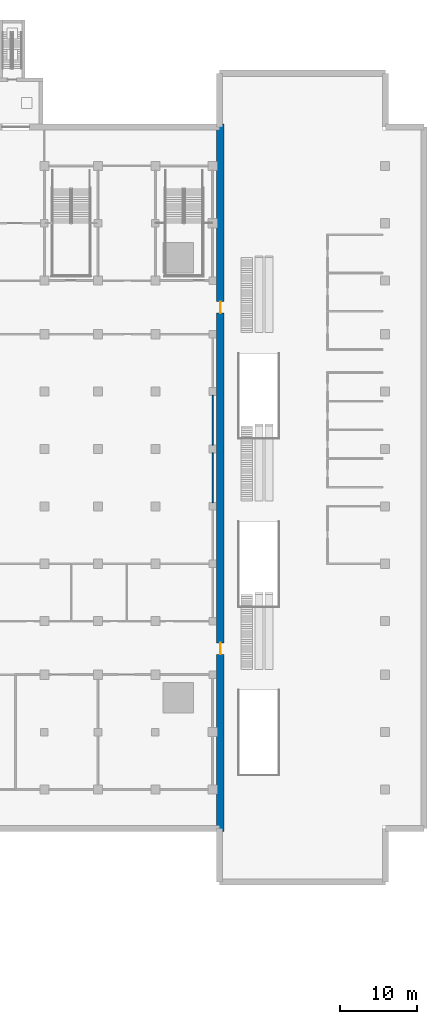
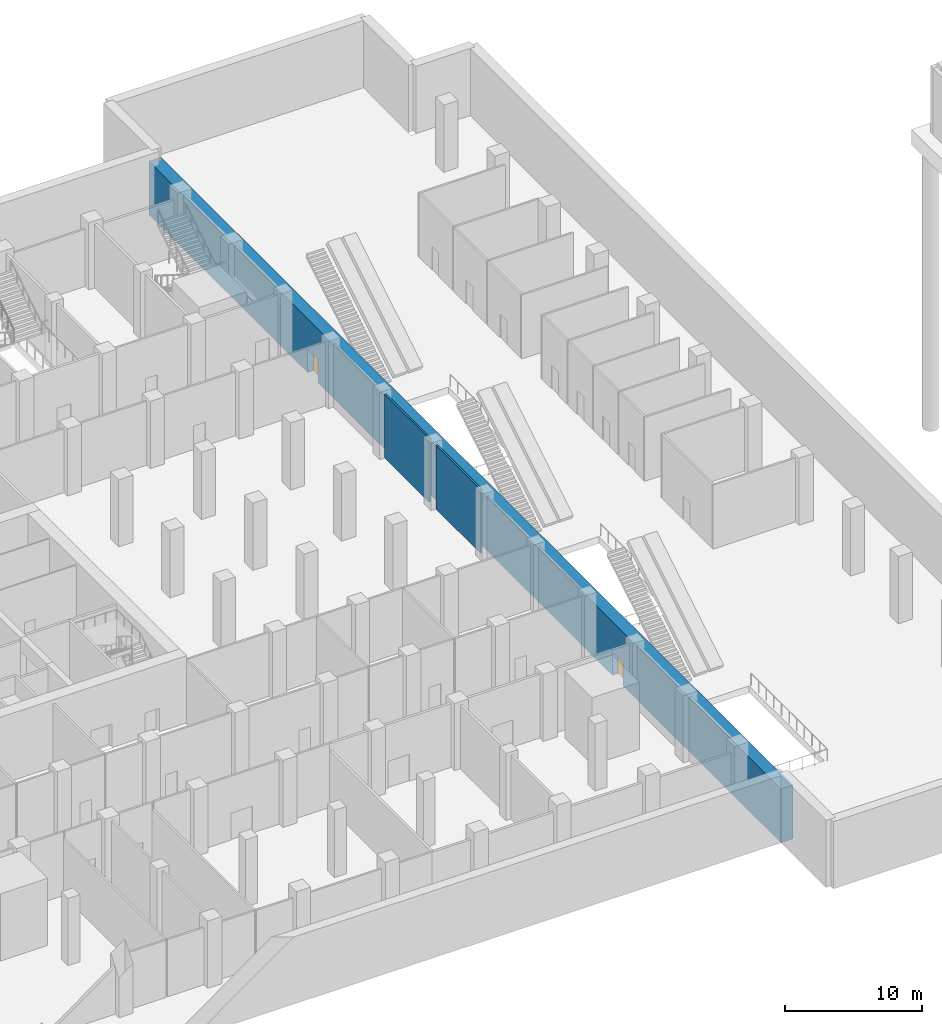
# One storey, part 12 of 45: 3 walls, 2 doors, 2 openings.
"""IFC4 building model written with IfcOpenShell, lengths in metres."""

from ifc_helpers import new_model, si_unit, direction, frame, frame_2d, origin, place, context, subcontext, project, spatial, rectangle, extrude, material, layer, layer_set, type_object, element, fill, save


model = new_model("IFC4")

# Units and contexts
model_context = context("Model", 3, precision=1e-05, world=origin(), true_north=direction((0.0, 1.0)))
body_context = subcontext(model_context, "Body", "Model", "MODEL_VIEW")
ifc_project = project(units=[si_unit("LENGTHUNIT", "METRE"), si_unit("AREAUNIT", "SQUARE_METRE"), si_unit("VOLUMEUNIT", "CUBIC_METRE"), si_unit("PLANEANGLEUNIT", "RADIAN"), si_unit("MASSUNIT", "GRAM", prefix="KILO")], contexts=[model_context])

# Site, building, storey
site_placement = place(None, origin())
site = spatial("IfcSite", under=ifc_project, at=site_placement, CompositionType="ELEMENT")
building_placement = place(site_placement, origin())
building = spatial("IfcBuilding", under=site, at=building_placement, Name="Tamorin Gate", CompositionType="ELEMENT")
storey_placement = place(building_placement, frame((0.0, 0.0, -6.0)))
storey = spatial("IfcBuildingStorey", under=building, at=storey_placement, Name="B1", CompositionType="ELEMENT", Elevation=-6.0)

# Walls
ifc_material_1 = material(Name="Concrete masonry C20/25", Category="masonry")
ifc_layer_1 = layer(ifc_material_1, 0.14990234375)
ifc_layer_set_1 = layer_set([ifc_layer_1], Name="Partition 150")
wall_type_1 = type_object("IfcWallType", Name="Partition 150", PredefinedType="PARTITIONING", material=ifc_layer_set_1)
for number, where, z_axis, x_axis, name in (
    (1, (89.5, 68.0, 0.0), (0.0, 0.0, 1.0), (0.0, 1.0, 0.0), "Partition 150 B1"),
    (2, (89.5, 75.5, 0.0), (0.0, 0.0, 1.0), (0.0, 1.0, 0.0), "Partition 150 B1"),
):
    element("IfcWall", number, at=place(storey_placement, frame(where, z_axis=z_axis, x_axis=x_axis)), inside=storey, type_object=wall_type_1, Name=name, PredefinedType="PARTITIONING", context=body_context, shape_type="SweptSolid", body=[
        extrude(rectangle(XDim=6.5, YDim=0.14990234375, at=frame_2d((3.25, 0.0))), origin(), (0.0, 0.0, 1.0), 5.699951171875),
    ])

# Wall, openings, doors
ifc_material_2 = material(Name="Concrete C50/60", Category="concrete")
ifc_layer_2 = layer(ifc_material_2, 1.0)
ifc_layer_set_2 = layer_set([ifc_layer_2], Name="RC station wall 1000 C50/60")
wall_type_2 = type_object("IfcWallType", Name="RC station wall 1000 C50/60", PredefinedType="SHEAR", material=ifc_layer_set_2)
wall_placement = place(storey_placement, frame((90.5, 25.0, 0.0), z_axis=(0.0, 0.0, 1.0), x_axis=(0.0, 1.0, 0.0)))
wall = element("IfcWall", 3, at=wall_placement, inside=storey, type_object=wall_type_2, Name="Station wall B1", PredefinedType="SHEAR", context=body_context, shape_type="SweptSolid", body=[
    extrude(rectangle(XDim=92.5, YDim=1.0, at=frame_2d((46.25, 0.0))), origin(), (0.0, 0.0, 1.0), 4.800048828125),
])
opening_1_placement = place(wall_placement, frame((23.14990234375, 0.0, 0.0)))
opening_1 = element("IfcOpeningElement", 4, at=opening_1_placement, cuts=wall, Name="Opening DP7", PredefinedType="OPENING", context=body_context, shape_type="SweptSolid", body=[
    extrude(rectangle(XDim=1.5, YDim=2.10009765625, at=frame_2d((0.75, 1.050048828125))), frame((0.0, 0.510009765625, 0.0), z_axis=(0.0, -1.0, 0.0), x_axis=(1.0, 0.0, 0.0)), (0.0, 0.0, 1.0), 1.02001953125),
])
opening_2_placement = place(wall_placement, frame((67.75, 0.0, 0.0)))
opening_2 = element("IfcOpeningElement", 5, at=opening_2_placement, cuts=wall, Name="Opening DP7", PredefinedType="OPENING", context=body_context, shape_type="SweptSolid", body=[
    extrude(rectangle(XDim=1.5, YDim=2.10009765625, at=frame_2d((0.75, 1.050048828125))), frame((0.0, 0.510009765625, 0.0), z_axis=(0.0, -1.0, 0.0), x_axis=(1.0, 0.0, 0.0)), (0.0, 0.0, 1.0), 1.02001953125),
])
ifc_material_3 = material(Name="Painted steel", Category="steel")
door_type = type_object("IfcDoorType", Name="Door pair 1500", OperationType="DOUBLE_DOOR_SINGLE_SWING", PredefinedType="DOOR", material=ifc_material_3)
door_1_placement = place(opening_1_placement, origin())
door_1 = element("IfcDoor", 6, at=door_1_placement, inside=storey, type_object=door_type, Name="Door pair 1500", OperationType="SINGLE_SWING_LEFT", OverallHeight=2.10009765625, OverallWidth=1.5, PredefinedType="DOOR", context=body_context, shape_type="SweptSolid", body=[
    extrude(rectangle(XDim=1.5, YDim=2.10009765625, at=frame_2d((0.75, 1.050048828125))), frame((0.0, 0.02490234375, 0.0), z_axis=(0.0, -1.0, 0.0), x_axis=(1.0, 0.0, 0.0)), (0.0, 0.0, 1.0), 0.050048828125),
])
fill(opening_1, door_1)
door_2_placement = place(opening_2_placement, origin())
door_2 = element("IfcDoor", 7, at=door_2_placement, inside=storey, type_object=door_type, Name="Door pair 1500", OperationType="SINGLE_SWING_LEFT", OverallHeight=2.10009765625, OverallWidth=1.5, PredefinedType="DOOR", context=body_context, shape_type="SweptSolid", body=[
    extrude(rectangle(XDim=1.5, YDim=2.10009765625, at=frame_2d((0.75, 1.050048828125))), frame((0.0, 0.02490234375, 0.0), z_axis=(0.0, -1.0, 0.0), x_axis=(1.0, 0.0, 0.0)), (0.0, 0.0, 1.0), 0.050048828125),
])
fill(opening_2, door_2)

save(model, "model.ifc")
